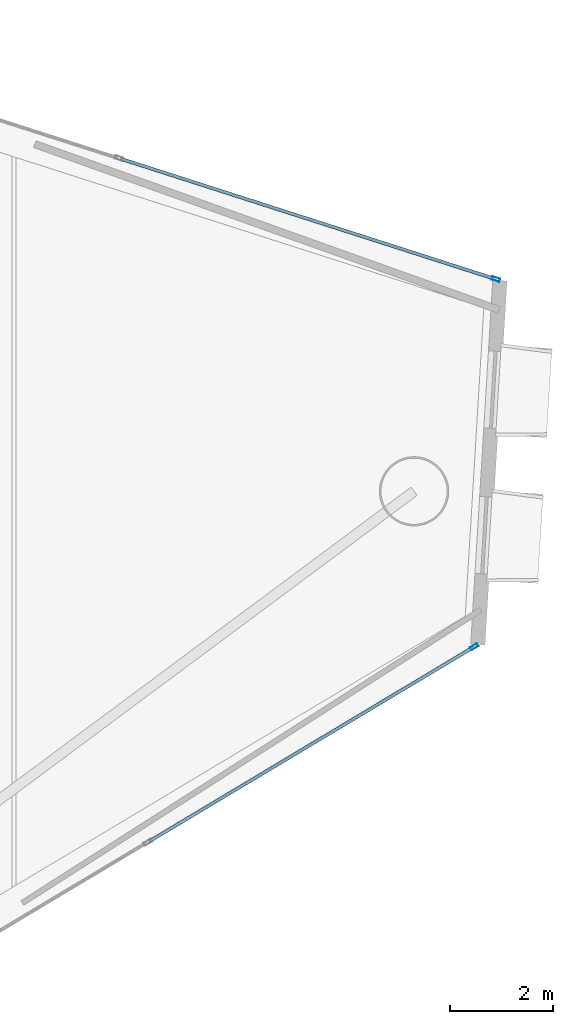
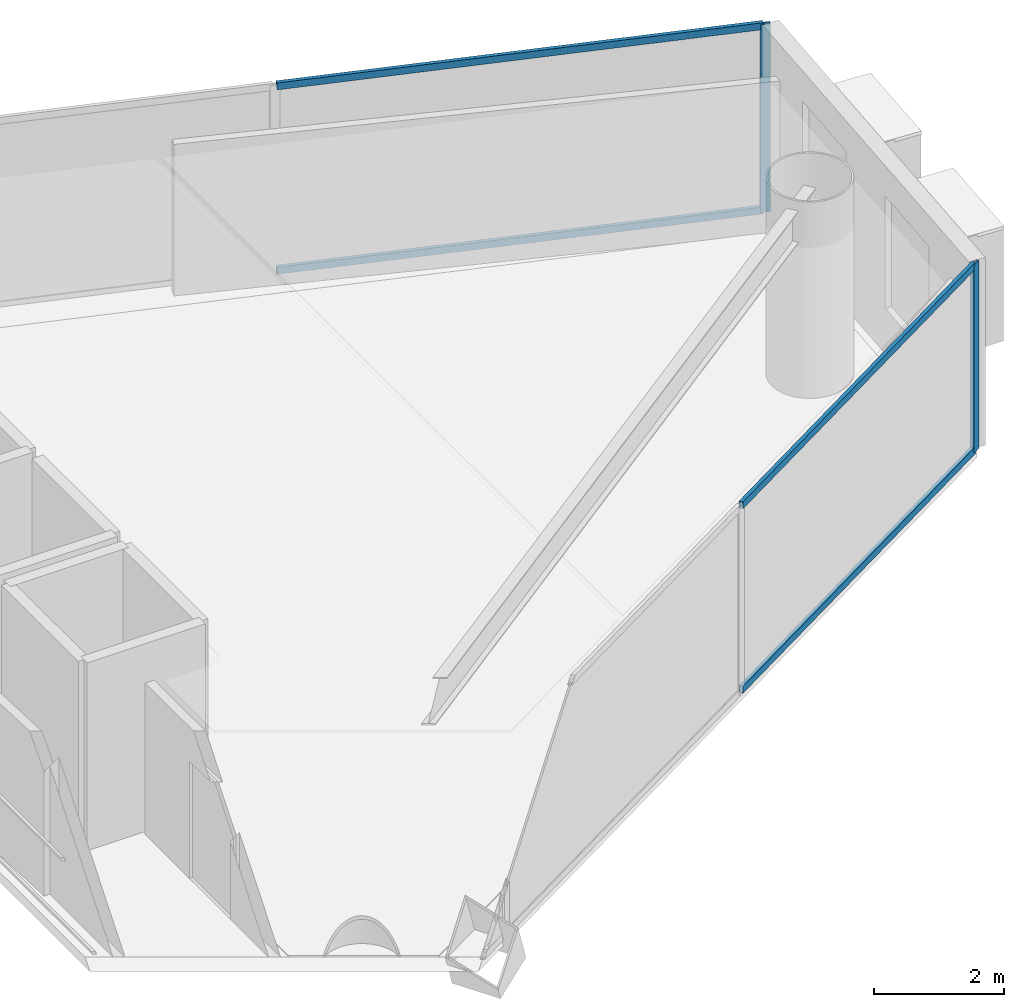
# One storey, part 15 of 22: 6 members, 2 elements without a shape of their own.
"""IFC4 building model written with IfcOpenShell, lengths in metres."""

from ifc_helpers import new_model, si_unit, direction, frame, origin, origin_2d, place, context, subcontext, project, spatial, hollow_rectangle, extrude, material, layer, layer_set, material_profile, profile_set, type_object, element, aggregate, save


model = new_model("IFC4")

# Units and contexts
model_context = context("Model", 3, precision=1e-05, world=origin(), true_north=direction((0.0, 1.0)))
body_context = subcontext(model_context, "Body", "Model", "MODEL_VIEW")
ifc_project = project(units=[si_unit("LENGTHUNIT", "METRE"), si_unit("AREAUNIT", "SQUARE_METRE"), si_unit("VOLUMEUNIT", "CUBIC_METRE"), si_unit("PLANEANGLEUNIT", "RADIAN"), si_unit("MASSUNIT", "GRAM", prefix="KILO")], contexts=[model_context])

# Site, building, storey
site_placement = place(None, origin())
site = spatial("IfcSite", under=ifc_project, at=site_placement, CompositionType="ELEMENT")
building_placement = place(site_placement, origin())
building = spatial("IfcBuilding", under=site, at=building_placement, Name="Qianvela Tower", CompositionType="ELEMENT")
storey_placement = place(building_placement, frame((0.0, 0.0, 173.5)))
storey = spatial("IfcBuildingStorey", under=building, at=storey_placement, Name="L44", CompositionType="ELEMENT", Elevation=173.5)

# Curtain wall, member
ifc_material_1 = material(Name="Anodised Architectural Aluminium and Low-E Glass", Category="aluminium")
ifc_layer = layer(ifc_material_1, 0.169921875)
ifc_layer_set = layer_set([ifc_layer], Name="Anodised Architectural Aluminium and Low-E Glass")
curtain_wall_type = type_object("IfcCurtainWallType", Name="CW-COLIV-Z34", PredefinedType="USERDEFINED", material=ifc_layer_set)
curtain_wall_1_placement = place(storey_placement, origin())
curtain_wall_1 = element("IfcCurtainWall", 1, at=curtain_wall_1_placement, inside=storey, type_object=curtain_wall_type, Name="L44 CW-COLIV-Z34 Curtain Wall 02A", ObjectType="CURTAIN_WALL_SYSTEM", PredefinedType="USERDEFINED")
ifc_material_2 = material(Name="Anodised Architectural Aluminium 6063-T6", Category="aluminium")
ifc_material_profile_1 = material_profile(ifc_material_2, hollow_rectangle(XDim=0.06494140625, YDim=0.159912109375, WallThickness=0.0048828125, at=origin_2d()), Name="ALU-MULL-65x160")
ifc_profile_set_1 = profile_set([ifc_material_profile_1], Name="Anodised Architectural Aluminium 6063-T6")
member_type_1 = type_object("IfcMemberType", Name="CW-COLIV-Z34-MULL", PredefinedType="MULLION", material=ifc_profile_set_1)
member_1_placement = place(storey_placement, frame((59.027099609375, 31.74853515625, 0.0), z_axis=(0.0, 0.0, 1.0), x_axis=(-0.305576084145, -0.952167662126, 0.0)))
member_1 = element("IfcMember", 2, at=member_1_placement, type_object=member_type_1, Name="CW-4 mullion 1", PredefinedType="MULLION", context=body_context, shape_type="SweptSolid", body=[
    extrude(hollow_rectangle(XDim=0.06494140625, YDim=0.159912109375, WallThickness=0.0048828125, at=origin_2d()), origin(), (0.0, 0.0, 1.0), 3.52001953125),
])

curtain_wall_2_placement = place(storey_placement, origin())
curtain_wall_2 = element("IfcCurtainWall", 3, at=curtain_wall_2_placement, inside=storey, type_object=curtain_wall_type, Name="L44 CW-COLIV-Z34 Curtain Wall 06C", ObjectType="CURTAIN_WALL_SYSTEM", PredefinedType="USERDEFINED")
member_2_placement = place(storey_placement, frame((58.605712890625, 24.591064453125, 0.0), z_axis=(0.0, 0.0, 1.0), x_axis=(-0.513735761782, 0.857948464109, 0.0)))
member_2 = element("IfcMember", 4, at=member_2_placement, type_object=member_type_1, Name="CW-4 mullion 3", PredefinedType="MULLION", context=body_context, shape_type="SweptSolid", body=[
    extrude(hollow_rectangle(XDim=0.06494140625, YDim=0.159912109375, WallThickness=0.0048828125, at=origin_2d()), origin(), (0.0, 0.0, 1.0), 3.52001953125),
])

# Member
ifc_material_3 = material(Name="Anodised Architectural Aluminium 6063-T6", Category="aluminium")
ifc_material_profile_2 = material_profile(ifc_material_3, hollow_rectangle(XDim=0.06494140625, YDim=0.1298828125, WallThickness=0.00439453125, at=origin_2d()), Name="ALU-TRAN-65x130")
ifc_profile_set_2 = profile_set([ifc_material_profile_2], Name="Anodised Architectural Aluminium 6063-T6")
member_type_2 = type_object("IfcMemberType", Name="CW-COLIV-Z34-TRAN", PredefinedType="USERDEFINED", material=ifc_profile_set_2)
member_3_placement = place(storey_placement, frame((58.99609375, 31.75830078125, 0.032470703125), z_axis=(-0.952163414781, 0.305589318453, 0.0), x_axis=(-0.305589318453, -0.952163414781, 0.0)))
member_3 = element("IfcMember", 5, at=member_3_placement, type_object=member_type_2, Name="CW-4 transom 1.1", ObjectType="TRANSOM", PredefinedType="USERDEFINED", context=body_context, shape_type="SweptSolid", body=[
    extrude(hollow_rectangle(XDim=0.06494140625, YDim=0.1298828125, WallThickness=0.00439453125, at=origin_2d()), origin(), (0.0, 0.0, 1.0), 7.642333984375),
])

member_4_placement = place(storey_placement, frame((58.99609375, 31.75830078125, 3.487548828125), z_axis=(-0.952163414781, 0.305589318453, 0.0), x_axis=(-0.305589318453, -0.952163414781, 0.0)))
member_4 = element("IfcMember", 6, at=member_4_placement, type_object=member_type_2, Name="CW-4 transom 1.2", ObjectType="TRANSOM", PredefinedType="USERDEFINED", context=body_context, shape_type="SweptSolid", body=[
    extrude(hollow_rectangle(XDim=0.06494140625, YDim=0.1298828125, WallThickness=0.00439453125, at=origin_2d()), origin(), (0.0, 0.0, 1.0), 7.642333984375),
])

aggregate(curtain_wall_1, [member_1, member_3, member_4])

member_5_placement = place(storey_placement, frame((52.276611328125, 20.801025390625, 0.032470703125), z_axis=(0.857947208924, 0.513737857959, 0.0), x_axis=(-0.513737857959, 0.857947208924, 0.0)))
member_5 = element("IfcMember", 7, at=member_5_placement, type_object=member_type_2, Name="CW-4 transom 2.1", ObjectType="TRANSOM", PredefinedType="USERDEFINED", context=body_context, shape_type="SweptSolid", body=[
    extrude(hollow_rectangle(XDim=0.06494140625, YDim=0.1298828125, WallThickness=0.00439453125, at=origin_2d()), origin(), (0.0, 0.0, 1.0), 7.344482421875),
])

member_6_placement = place(storey_placement, frame((52.276611328125, 20.801025390625, 3.487548828125), z_axis=(0.857947208924, 0.513737857959, 0.0), x_axis=(-0.513737857959, 0.857947208924, 0.0)))
member_6 = element("IfcMember", 8, at=member_6_placement, type_object=member_type_2, Name="CW-4 transom 2.2", ObjectType="TRANSOM", PredefinedType="USERDEFINED", context=body_context, shape_type="SweptSolid", body=[
    extrude(hollow_rectangle(XDim=0.06494140625, YDim=0.1298828125, WallThickness=0.00439453125, at=origin_2d()), origin(), (0.0, 0.0, 1.0), 7.344482421875),
])

aggregate(curtain_wall_2, [member_2, member_5, member_6])

save(model, "model.ifc")
